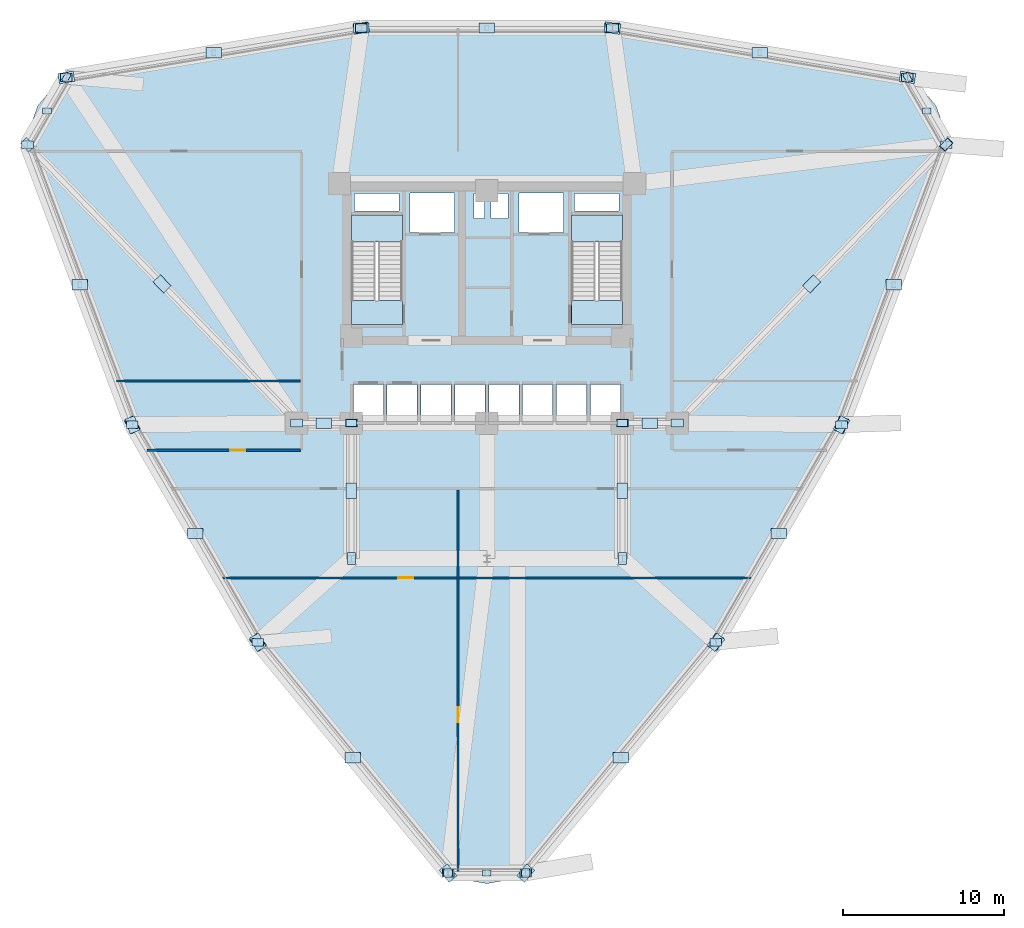
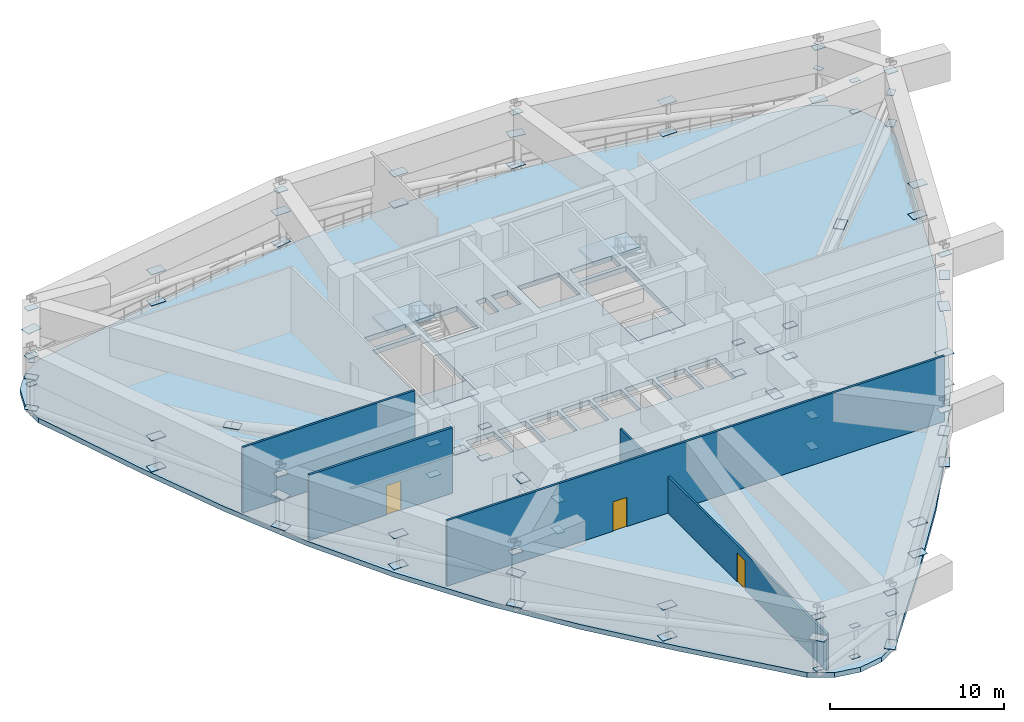
# One storey, part 7 of 12: 78 plates, 5 slabs, 4 walls, 3 doors, 3 openings, 2 elements without a shape of their own.
"""IFC4 building model written with IfcOpenShell, lengths in metres."""

from ifc_helpers import new_model, si_unit, derived_unit, direction, frame, frame_2d, origin, origin_2d, place, context, subcontext, project, spatial, polyline, rectangle, outline, extrude, source, transform, mapped, material, layer, layer_set, type_object, element, fill, aggregate, save


model = new_model("IFC4")

# Units and contexts
model_context = context("Model", 3, precision=1e-05, world=origin(), true_north=direction((0.0, 1.0)))
body_context = subcontext(model_context, "Body", "Model", "MODEL_VIEW")
ifc_project = project(units=[si_unit("LENGTHUNIT", "METRE"), si_unit("AREAUNIT", "SQUARE_METRE"), si_unit("VOLUMEUNIT", "CUBIC_METRE"), si_unit("PLANEANGLEUNIT", "RADIAN"), si_unit("MASSUNIT", "GRAM", prefix="KILO"), derived_unit("THERMALTRANSMITTANCEUNIT", [(si_unit("POWERUNIT", "WATT"), 1), (si_unit("LENGTHUNIT", "METRE"), -2), (si_unit("THERMODYNAMICTEMPERATUREUNIT", "KELVIN"), -1)])], contexts=[model_context])

# Site, building, storey
site_placement = place(None, origin())
site = spatial("IfcSite", under=ifc_project, at=site_placement, CompositionType="ELEMENT")
building_placement = place(site_placement, origin())
building = spatial("IfcBuilding", under=site, at=building_placement, Name="Korsvarv Bourse and Concert Hall", CompositionType="ELEMENT")
storey_placement = place(building_placement, frame((0.0, 0.0, 59.10009765625)))
storey = spatial("IfcBuildingStorey", under=building, at=storey_placement, Name="L14", CompositionType="ELEMENT", Elevation=59.10009765625)

# Slabs
ifc_material_1 = material(Name="Precast concrete C45/55", Category="concrete")
ifc_layer_1 = layer(ifc_material_1, 0.199951171875)
ifc_layer_set_1 = layer_set([ifc_layer_1], Name="Precast concrete C45/55")
slab_type_1 = type_object("IfcSlabType", Name="SLB-FLND-T", PredefinedType="LANDING", material=ifc_layer_set_1)
slab_1_placement = place(storey_placement, frame((0.0, 0.0, -0.2001953125)))
element("IfcSlab", 1, at=slab_1_placement, inside=storey, type_object=slab_type_1, Name="L14 Stair ST-T1 Floor Landing Slab", PredefinedType="LANDING", context=body_context, shape_type="SweptSolid", body=[
    extrude(outline(polyline([(30.760009765625, 38.5), (30.760009765625, 40.0), (27.60009765625, 40.0), (27.60009765625, 38.5), (30.760009765625, 38.5)])), origin(), (0.0, 0.0, 1.0), 0.2001953125),
])
slab_2_placement = place(storey_placement, frame((0.0, 0.0, -0.2001953125)))
element("IfcSlab", 2, at=slab_2_placement, inside=storey, type_object=slab_type_1, Name="L14 Stair ST-T2 Floor Landing Slab", PredefinedType="LANDING", context=body_context, shape_type="SweptSolid", body=[
    extrude(outline(polyline([(44.39990234375, 38.5), (44.39990234375, 40.0), (41.239990234375, 40.0), (41.239990234375, 38.5), (44.39990234375, 38.5)])), origin(), (0.0, 0.0, 1.0), 0.2001953125),
])
ifc_material_2 = material(Name="Concrete C55/67", Category="concrete")
ifc_layer_2 = layer(ifc_material_2, 0.340087890625)
ifc_layer_set_2 = layer_set([ifc_layer_2], Name="Concrete C55/67")
slab_type_2 = type_object("IfcSlabType", Name="SLB-REF", PredefinedType="FLOOR", material=ifc_layer_set_2)
slab_3_placement = place(storey_placement, frame((0.0, 0.0, -0.340087890625)))
element("IfcSlab", 3, at=slab_3_placement, inside=storey, type_object=slab_type_2, Name="L14 tower structural floor slab", PredefinedType="FLOOR", context=body_context, shape_type="SweptSolid", body=[
    extrude(outline(polyline([(63.784912109375, 47.35888671875), (61.7548828125, 41.6484375), (59.58837890625, 36.04248046875), (57.162841796875, 30.6064453125), (54.39501953125, 25.379638671875), (51.25244140625, 20.369140625), (47.757568359375, 15.550537109375), (43.985595703125, 10.871337890625), (40.05517578125, 6.258056640625), (40.05078125, 6.253173828125), (38.9326171875, 4.92041015625), (37.560546875, 4.128173828125), (36.0, 3.85302734375), (34.439453125, 4.128173828125), (33.0673828125, 4.92041015625), (31.94921875, 6.253173828125), (31.94482421875, 6.258056640625), (28.014404296875, 10.871337890625), (24.242431640625, 15.550537109375), (20.74755859375, 20.369140625), (17.60498046875, 25.379638671875), (14.837158203125, 30.6064453125), (12.41162109375, 36.04248046875), (10.2451171875, 41.6484375), (8.215087890625, 47.35888671875), (8.212890625, 47.365234375), (7.617919921875, 49.0), (7.617919921875, 50.58447265625), (8.159912109375, 52.073486328125), (9.178466796875, 53.287353515625), (10.550537109375, 54.07958984375), (12.263916015625, 54.381591796875), (12.270263671875, 54.3828125), (18.230712890625, 55.480224609375), (24.169189453125, 56.406982421875), (30.089599609375, 57.0244140625), (36.0, 57.24072265625), (41.910400390625, 57.0244140625), (47.830810546875, 56.406982421875), (53.769287109375, 55.480224609375), (59.729736328125, 54.3828125), (59.736083984375, 54.381591796875), (61.449462890625, 54.07958984375), (62.821533203125, 53.287353515625), (63.840087890625, 52.073486328125), (64.382080078125, 50.58447265625), (64.382080078125, 49.0), (63.787109375, 47.365234375), (63.784912109375, 47.35888671875)]), holes=[polyline([(30.760009765625, 38.5), (30.760009765625, 45.300048828125), (27.60009765625, 45.300048828125), (27.60009765625, 38.5), (30.760009765625, 38.5)]), polyline([(44.39990234375, 38.5), (44.39990234375, 45.300048828125), (41.239990234375, 45.300048828125), (41.239990234375, 38.5), (44.39990234375, 38.5)]), polyline([(31.239990234375, 44.219970703125), (34.0, 44.219970703125), (34.0, 46.679931640625), (31.239990234375, 46.679931640625), (31.239990234375, 44.219970703125)]), polyline([(38.0, 44.219970703125), (40.760009765625, 44.219970703125), (40.760009765625, 46.679931640625), (38.0, 46.679931640625), (38.0, 44.219970703125)]), polyline([(27.719970703125, 32.52001953125), (29.580078125, 32.52001953125), (29.580078125, 34.780029296875), (27.719970703125, 34.780029296875), (27.719970703125, 32.52001953125)]), polyline([(29.820068359375, 32.52001953125), (31.679931640625, 32.52001953125), (31.679931640625, 34.780029296875), (29.820068359375, 34.780029296875), (29.820068359375, 32.52001953125)]), polyline([(31.919921875, 32.52001953125), (33.780029296875, 32.52001953125), (33.780029296875, 34.780029296875), (31.919921875, 34.780029296875), (31.919921875, 32.52001953125)]), polyline([(34.02001953125, 32.52001953125), (35.8798828125, 32.52001953125), (35.8798828125, 34.780029296875), (34.02001953125, 34.780029296875), (34.02001953125, 32.52001953125)]), polyline([(36.1201171875, 32.52001953125), (37.97998046875, 32.52001953125), (37.97998046875, 34.780029296875), (36.1201171875, 34.780029296875), (36.1201171875, 32.52001953125)]), polyline([(38.219970703125, 32.52001953125), (40.080078125, 32.52001953125), (40.080078125, 34.780029296875), (38.219970703125, 34.780029296875), (38.219970703125, 32.52001953125)]), polyline([(40.320068359375, 32.52001953125), (42.179931640625, 32.52001953125), (42.179931640625, 34.780029296875), (40.320068359375, 34.780029296875), (40.320068359375, 32.52001953125)]), polyline([(42.419921875, 32.52001953125), (44.280029296875, 32.52001953125), (44.280029296875, 34.780029296875), (42.419921875, 34.780029296875), (42.419921875, 32.52001953125)]), polyline([(27.800048828125, 45.56005859375), (30.56005859375, 45.56005859375), (30.56005859375, 46.6201171875), (27.800048828125, 46.6201171875), (27.800048828125, 45.56005859375)]), polyline([(41.43994140625, 45.56005859375), (44.199951171875, 45.56005859375), (44.199951171875, 46.6201171875), (41.43994140625, 46.6201171875), (41.43994140625, 45.56005859375)]), polyline([(35.199951171875, 45.080078125), (35.840087890625, 45.080078125), (35.840087890625, 46.6201171875), (35.199951171875, 46.6201171875), (35.199951171875, 45.080078125)]), polyline([(36.239990234375, 45.080078125), (37.320068359375, 45.080078125), (37.320068359375, 46.6201171875), (36.239990234375, 46.6201171875), (36.239990234375, 45.080078125)])]), origin(), (0.0, 0.0, 1.0), 0.340087890625),
])

# Stair, slab
stair_type = type_object("IfcStairType", Name="STR-TYPE-02", PredefinedType="HALF_TURN_STAIR", material=ifc_material_1)
stair_1_placement = place(storey_placement, origin())
stair_1 = element("IfcStair", 4, at=stair_1_placement, inside=storey, type_object=stair_type, Name="L14 Tower West Exit Stair ST-T1", PredefinedType="HALF_TURN_STAIR")
ifc_layer_3 = layer(ifc_material_1, 0.199951171875)
ifc_layer_set_3 = layer_set([ifc_layer_3], Name="Precast concrete C45/55")
slab_type_3 = type_object("IfcSlabType", Name="SLB-ST-LND", PredefinedType="LANDING", material=ifc_layer_set_3)
slab_4_placement = place(storey_placement, frame((0.0, 0.0, 2.199951171875)))
slab_4 = element("IfcSlab", 5, at=slab_4_placement, type_object=slab_type_3, Name="ST-T1 landing 1", PredefinedType="LANDING", context=body_context, shape_type="SweptSolid", body=[
    extrude(outline(polyline([(30.760009765625, 43.639892578125), (30.760009765625, 45.300048828125), (27.60009765625, 45.300048828125), (27.60009765625, 43.639892578125), (30.760009765625, 43.639892578125)])), origin(), (0.0, 0.0, 1.0), 0.199951171875),
])
aggregate(stair_1, [slab_4])

stair_2_placement = place(storey_placement, origin())
stair_2 = element("IfcStair", 6, at=stair_2_placement, inside=storey, type_object=stair_type, Name="L14 Tower East Exit Stair ST-T2", PredefinedType="HALF_TURN_STAIR")
slab_5_placement = place(storey_placement, frame((0.0, 0.0, 2.199951171875)))
slab_5 = element("IfcSlab", 7, at=slab_5_placement, type_object=slab_type_3, Name="ST-T2 landing 1", PredefinedType="LANDING", context=body_context, shape_type="SweptSolid", body=[
    extrude(outline(polyline([(44.39990234375, 43.639892578125), (44.39990234375, 45.300048828125), (41.239990234375, 45.300048828125), (41.239990234375, 43.639892578125), (44.39990234375, 43.639892578125)])), origin(), (0.0, 0.0, 1.0), 0.199951171875),
])
aggregate(stair_2, [slab_5])

# Plates
ifc_material_3 = material(Name="Steel S460", Category="steel")
ifc_layer_4 = layer(ifc_material_3, 0.033935546875)
ifc_layer_set_4 = layer_set([ifc_layer_4], Name="Steel S460")
plate_type_1 = type_object("IfcPlateType", Name="PLT-KN5", PredefinedType="SHEET", material=ifc_layer_set_4)
shared_shape_1 = source(origin(), body_context, "Body", "SweptSolid", [
    extrude(rectangle(XDim=0.719970703125, YDim=0.47998046875, at=origin_2d()), origin(), (0.0, 0.0, 1.0), 0.033935546875),
])
for number, where, z_axis, x_axis, name in (
    (8, (64.474609375, 49.662353515625, 4.0029296875), (0.0, 0.0, 1.0), (1.0, 0.0, 0.0), "L14 Block-Shift Transfer Splice Plate KN5-1"),
    (9, (62.069091796875, 53.82861328125, 4.0029296875), (0.0, 0.0, 1.0), (1.0, 0.0, 0.0), "L14 Block-Shift Transfer Splice Plate KN5-2"),
    (10, (43.78466796875, 56.889404296875, 4.0029296875), (0.0, 0.0, 1.0), (1.0, 0.0, 0.0), "L14 Block-Shift Transfer Splice Plate KN5-3"),
    (11, (28.21533203125, 56.889404296875, 4.0029296875), (0.0, 0.0, 1.0), (1.0, 0.0, 0.0), "L14 Block-Shift Transfer Splice Plate KN5-4"),
    (12, (9.930908203125, 53.82861328125, 4.0029296875), (0.0, 0.0, 1.0), (1.0, 0.0, 0.0), "L14 Block-Shift Transfer Splice Plate KN5-5"),
    (13, (7.525390625, 49.662353515625, 4.0029296875), (0.0, 0.0, 1.0), (1.0, 0.0, 0.0), "L14 Block-Shift Transfer Splice Plate KN5-6"),
    (14, (14.016845703125, 32.297119140625, 4.0029296875), (0.0, 0.0, 1.0), (1.0, 0.0, 0.0), "L14 Block-Shift Transfer Splice Plate KN5-7"),
    (15, (21.801513671875, 18.8134765625, 4.0029296875), (0.0, 0.0, 1.0), (1.0, 0.0, 0.0), "L14 Block-Shift Transfer Splice Plate KN5-8"),
    (16, (38.4052734375, 4.509033203125, 4.0029296875), (0.0, 0.0, 1.0), (1.0, 0.0, 0.0), "L14 Block-Shift Transfer Splice Plate KN5-10"),
    (17, (33.5947265625, 4.509033203125, 4.0029296875), (0.0, 0.0, 1.0), (1.0, 0.0, 0.0), "L14 Block-Shift Transfer Splice Plate KN5-9"),
    (18, (50.198486328125, 18.8134765625, 4.0029296875), (0.0, 0.0, 1.0), (1.0, 0.0, 0.0), "L14 Block-Shift Transfer Splice Plate KN5-11"),
    (19, (57.983154296875, 32.297119140625, 4.0029296875), (0.0, 0.0, 1.0), (1.0, 0.0, 0.0), "L14 Block-Shift Transfer Splice Plate KN5-12"),
):
    element("IfcPlate", number, at=place(storey_placement, frame(where, z_axis=z_axis, x_axis=x_axis)), inside=storey, type_object=plate_type_1, Name=name, PredefinedType="SHEET", context=body_context, shape_type="MappedRepresentation", body=[
        mapped(shared_shape_1, transform((0.0, 0.0, 0.0), scale=1.0)),
    ])
ifc_layer_5 = layer(ifc_material_3, 0.034912109375)
ifc_layer_set_5 = layer_set([ifc_layer_5], Name="Steel S460")
plate_type_2 = type_object("IfcPlateType", Name="PLT-KN1", PredefinedType="SHEET", material=ifc_layer_set_5)
shared_shape_2 = source(origin(), body_context, "Body", "SweptSolid", [
    extrude(rectangle(XDim=0.75, YDim=0.5, at=origin_2d()), origin(), (0.0, 0.0, 1.0), 0.034912109375),
])
for number, where, z_axis, x_axis, name in (
    (20, (27.60009765625, 32.39990234375, 0.33251953125), (0.0, 0.0, 1.0), (1.0, 0.0, 0.0), "L14 node cap plate KN1"),
    (21, (24.199951171875, 32.39990234375, 0.33251953125), (0.0, 0.0, 1.0), (1.0, 0.0, 0.0), "L14 node cap plate KN1"),
    (22, (24.199951171875, 32.39990234375, 2.50244140625), (0.0, 0.0, 1.0), (1.0, 0.0, 0.0), "L14 node cap plate KN1"),
    (23, (7.525390625, 49.662353515625, 0.33251953125), (0.0, 0.0, 1.0), (-0.694783908358, 0.719218548626, 0.0), "L14 node cap plate KN1"),
    (24, (7.525390625, 49.662353515625, 2.50244140625), (0.0, 0.0, 1.0), (-0.694783908358, 0.719218548626, 0.0), "L14 node cap plate KN1"),
    (25, (44.39990234375, 32.39990234375, 0.33251953125), (0.0, 0.0, 1.0), (1.0, 0.0, 0.0), "L14 node cap plate KN1"),
    (26, (47.800048828125, 32.39990234375, 0.33251953125), (0.0, 0.0, 1.0), (1.0, 0.0, 0.0), "L14 node cap plate KN1"),
    (27, (47.800048828125, 32.39990234375, 2.50244140625), (0.0, 0.0, 1.0), (1.0, 0.0, 0.0), "L14 node cap plate KN1"),
    (28, (64.474609375, 49.662353515625, 0.33251953125), (0.0, 0.0, 1.0), (0.694783908358, 0.719218548626, 0.0), "L14 node cap plate KN1"),
    (29, (27.60009765625, 24.0, 0.33251953125), (0.0, 0.0, 1.0), (0.0, 1.0, 0.0), "L14 node cap plate KN1"),
    (30, (27.60009765625, 24.0, 2.50244140625), (0.0, 0.0, 1.0), (0.0, 1.0, 0.0), "L14 node cap plate KN1"),
    (31, (44.39990234375, 24.0, 0.33251953125), (0.0, 0.0, 1.0), (0.0, 1.0, 0.0), "L14 node cap plate KN1"),
    (32, (44.39990234375, 24.0, 2.50244140625), (0.0, 0.0, 1.0), (0.0, 1.0, 0.0), "L14 node cap plate KN1"),
):
    element("IfcPlate", number, at=place(storey_placement, frame(where, z_axis=z_axis, x_axis=x_axis)), inside=storey, type_object=plate_type_2, Name=name, PredefinedType="SHEET", context=body_context, shape_type="MappedRepresentation", body=[
        mapped(shared_shape_2, transform((0.0, 0.0, 0.0), scale=1.0)),
    ])
ifc_layer_6 = layer(ifc_material_3, 0.028076171875)
ifc_layer_set_6 = layer_set([ifc_layer_6], Name="Steel S460")
plate_type_3 = type_object("IfcPlateType", Name="PLT-KN3", PredefinedType="SHEET", material=ifc_layer_set_6)
shared_shape_3 = source(origin(), body_context, "Body", "SweptSolid", [
    extrude(rectangle(XDim=0.9599609375, YDim=0.639892578125, at=origin_2d()), origin(), (0.0, 0.0, 1.0), 0.028076171875),
])
for number, where, z_axis, x_axis, name in (
    (33, (25.89990234375, 32.39990234375, 1.4208984375), (0.0, 0.0, 1.0), (1.0, 0.0, 0.0), "L14 node cap plate KN3"),
    (34, (15.86279296875, 41.03125, 1.4208984375), (0.0, 0.0, 1.0), (-0.694783908358, 0.719218548626, 0.0), "L14 node cap plate KN3"),
    (35, (46.10009765625, 32.39990234375, 1.4208984375), (0.0, 0.0, 1.0), (1.0, 0.0, 0.0), "L14 node cap plate KN3"),
    (36, (56.13720703125, 41.03125, 1.4208984375), (0.0, 0.0, 1.0), (0.694783908358, 0.719218548626, 0.0), "L14 node cap plate KN3"),
    (37, (27.60009765625, 28.199951171875, 1.4208984375), (0.0, 0.0, 1.0), (0.0, 1.0, 0.0), "L14 node cap plate KN3"),
    (38, (44.39990234375, 28.199951171875, 1.4208984375), (0.0, 0.0, 1.0), (0.0, 1.0, 0.0), "L14 node cap plate KN3"),
    (39, (62.069091796875, 53.82861328125, 0.3359375), (0.0, 0.0, 1.0), (-0.986285601537, 0.165047605861, 0.0), "L14 node cap plate KN3"),
    (40, (43.78466796875, 56.889404296875, 2.505859375), (0.0, 0.0, 1.0), (-0.986285601537, 0.165047605861, 0.0), "L14 node cap plate KN3"),
    (41, (52.927001953125, 55.35888671875, 0.3359375), (0.0, 0.0, 1.0), (1.0, 0.0, 0.0), "L14 node cap plate KN3"),
    (42, (52.927001953125, 55.35888671875, 2.505859375), (0.0, 0.0, 1.0), (1.0, 0.0, 0.0), "L14 node cap plate KN3"),
    (43, (43.78466796875, 56.889404296875, 0.3359375), (0.0, 0.0, 1.0), (1.0, 0.0, 0.0), "L14 node cap plate KN3"),
    (44, (28.21533203125, 56.889404296875, 2.505859375), (0.0, 0.0, 1.0), (1.0, 0.0, 0.0), "L14 node cap plate KN3"),
    (45, (36.0, 56.889404296875, 0.3359375), (0.0, 0.0, 1.0), (1.0, 0.0, 0.0), "L14 node cap plate KN3"),
    (46, (36.0, 56.889404296875, 2.505859375), (0.0, 0.0, 1.0), (1.0, 0.0, 0.0), "L14 node cap plate KN3"),
    (47, (28.21533203125, 56.889404296875, 0.3359375), (0.0, 0.0, 1.0), (0.986285601537, 0.165047605861, 0.0), "L14 node cap plate KN3"),
    (48, (9.930908203125, 53.82861328125, 2.505859375), (0.0, 0.0, 1.0), (0.986285601537, 0.165047605861, 0.0), "L14 node cap plate KN3"),
    (49, (19.072998046875, 55.35888671875, 0.3359375), (0.0, 0.0, 1.0), (1.0, 0.0, 0.0), "L14 node cap plate KN3"),
    (50, (19.072998046875, 55.35888671875, 2.505859375), (0.0, 0.0, 1.0), (1.0, 0.0, 0.0), "L14 node cap plate KN3"),
    (51, (14.016845703125, 32.297119140625, 2.505859375), (0.0, 0.0, 1.0), (-0.350207381259, 0.936672189248, 0.0), "L14 node cap plate KN3"),
    (52, (10.77099609375, 40.979736328125, 0.3359375), (0.0, 0.0, 1.0), (1.0, 0.0, 0.0), "L14 node cap plate KN3"),
    (53, (10.77099609375, 40.979736328125, 2.505859375), (0.0, 0.0, 1.0), (1.0, 0.0, 0.0), "L14 node cap plate KN3"),
    (54, (14.016845703125, 32.297119140625, 0.3359375), (0.0, 0.0, 1.0), (-0.5, 0.866025403784, 0.0), "L14 node cap plate KN3"),
    (55, (21.801513671875, 18.8134765625, 2.505859375), (0.0, 0.0, 1.0), (-0.5, 0.866025403784, 0.0), "L14 node cap plate KN3"),
    (56, (17.9091796875, 25.555419921875, 0.3359375), (0.0, 0.0, 1.0), (1.0, 0.0, 0.0), "L14 node cap plate KN3"),
    (57, (17.9091796875, 25.555419921875, 2.505859375), (0.0, 0.0, 1.0), (1.0, 0.0, 0.0), "L14 node cap plate KN3"),
    (58, (21.801513671875, 18.8134765625, 0.3359375), (0.0, 0.0, 1.0), (-0.636078220278, 0.771624583388, 0.0), "L14 node cap plate KN3"),
    (59, (33.5947265625, 4.509033203125, 2.505859375), (0.0, 0.0, 1.0), (-0.636078220278, 0.771624583388, 0.0), "L14 node cap plate KN3"),
    (60, (27.697998046875, 11.661376953125, 0.3359375), (0.0, 0.0, 1.0), (1.0, 0.0, 0.0), "L14 node cap plate KN3"),
    (61, (27.697998046875, 11.661376953125, 2.505859375), (0.0, 0.0, 1.0), (1.0, 0.0, 0.0), "L14 node cap plate KN3"),
    (62, (38.4052734375, 4.509033203125, 0.3359375), (0.0, 0.0, 1.0), (0.636078220278, 0.771624583388, 0.0), "L14 node cap plate KN3"),
    (63, (50.198486328125, 18.8134765625, 2.505859375), (0.0, 0.0, 1.0), (0.636078220278, 0.771624583388, 0.0), "L14 node cap plate KN3"),
    (64, (44.302001953125, 11.661376953125, 0.3359375), (0.0, 0.0, 1.0), (1.0, 0.0, 0.0), "L14 node cap plate KN3"),
    (65, (44.302001953125, 11.661376953125, 2.505859375), (0.0, 0.0, 1.0), (1.0, 0.0, 0.0), "L14 node cap plate KN3"),
    (66, (50.198486328125, 18.8134765625, 0.3359375), (0.0, 0.0, 1.0), (0.5, 0.866025403784, 0.0), "L14 node cap plate KN3"),
    (67, (57.983154296875, 32.297119140625, 2.505859375), (0.0, 0.0, 1.0), (0.5, 0.866025403784, 0.0), "L14 node cap plate KN3"),
    (68, (54.0908203125, 25.555419921875, 0.3359375), (0.0, 0.0, 1.0), (1.0, 0.0, 0.0), "L14 node cap plate KN3"),
    (69, (54.0908203125, 25.555419921875, 2.505859375), (0.0, 0.0, 1.0), (1.0, 0.0, 0.0), "L14 node cap plate KN3"),
    (70, (57.983154296875, 32.297119140625, 0.3359375), (0.0, 0.0, 1.0), (0.350207381259, 0.936672189248, 0.0), "L14 node cap plate KN3"),
    (71, (61.22900390625, 40.979736328125, 0.3359375), (0.0, 0.0, 1.0), (1.0, 0.0, 0.0), "L14 node cap plate KN3"),
    (72, (61.22900390625, 40.979736328125, 2.505859375), (0.0, 0.0, 1.0), (1.0, 0.0, 0.0), "L14 node cap plate KN3"),
):
    element("IfcPlate", number, at=place(storey_placement, frame(where, z_axis=z_axis, x_axis=x_axis)), inside=storey, type_object=plate_type_3, Name=name, PredefinedType="SHEET", context=body_context, shape_type="MappedRepresentation", body=[
        mapped(shared_shape_3, transform((0.0, 0.0, 0.0), scale=1.0)),
    ])
ifc_layer_7 = layer(ifc_material_3, 0.031982421875)
ifc_layer_set_7 = layer_set([ifc_layer_7], Name="Steel S460")
plate_type_4 = type_object("IfcPlateType", Name="PLT-KN2", PredefinedType="SHEET", material=ifc_layer_set_7)
shared_shape_4 = source(origin(), body_context, "Body", "SweptSolid", [
    extrude(rectangle(XDim=0.659912109375, YDim=0.43994140625, at=origin_2d()), origin(), (0.0, 0.0, 1.0), 0.031982421875),
])
for number, where, z_axis, x_axis, name in (
    (73, (27.60009765625, 32.39990234375, 2.50390625), (0.0, 0.0, 1.0), (1.0, 0.0, 0.0), "L14 node cap plate KN2"),
    (74, (44.39990234375, 32.39990234375, 2.50390625), (0.0, 0.0, 1.0), (1.0, 0.0, 0.0), "L14 node cap plate KN2"),
    (75, (64.474609375, 49.662353515625, 2.50390625), (0.0, 0.0, 1.0), (0.694783908358, 0.719218548626, 0.0), "L14 node cap plate KN2"),
):
    element("IfcPlate", number, at=place(storey_placement, frame(where, z_axis=z_axis, x_axis=x_axis)), inside=storey, type_object=plate_type_4, Name=name, PredefinedType="SHEET", context=body_context, shape_type="MappedRepresentation", body=[
        mapped(shared_shape_4, transform((0.0, 0.0, 0.0), scale=1.0)),
    ])
ifc_layer_8 = layer(ifc_material_3, 0.02587890625)
ifc_layer_set_8 = layer_set([ifc_layer_8], Name="Steel S460")
plate_type_5 = type_object("IfcPlateType", Name="PLT-KN4", PredefinedType="SHEET", material=ifc_layer_set_8)
shared_shape_5 = source(origin(), body_context, "Body", "SweptSolid", [
    extrude(rectangle(XDim=0.5400390625, YDim=0.360107421875, at=origin_2d()), origin(), (0.0, 0.0, 1.0), 0.02587890625),
])
for number, where, z_axis, x_axis, name in (
    (76, (62.069091796875, 53.82861328125, 2.507080078125), (0.0, 0.0, 1.0), (-0.5, 0.866025403784, 0.0), "L14 node cap plate KN4"),
    (77, (63.27197265625, 51.745361328125, 0.3369140625), (0.0, 0.0, 1.0), (1.0, 0.0, 0.0), "L14 node cap plate KN4"),
    (78, (63.27197265625, 51.745361328125, 2.507080078125), (0.0, 0.0, 1.0), (1.0, 0.0, 0.0), "L14 node cap plate KN4"),
    (79, (9.930908203125, 53.82861328125, 0.3369140625), (0.0, 0.0, 1.0), (0.5, 0.866025403784, 0.0), "L14 node cap plate KN4"),
    (80, (8.72802734375, 51.745361328125, 0.3369140625), (0.0, 0.0, 1.0), (1.0, 0.0, 0.0), "L14 node cap plate KN4"),
    (81, (8.72802734375, 51.745361328125, 2.507080078125), (0.0, 0.0, 1.0), (1.0, 0.0, 0.0), "L14 node cap plate KN4"),
    (82, (33.5947265625, 4.509033203125, 0.3369140625), (0.0, 0.0, 1.0), (1.0, 0.0, 0.0), "L14 node cap plate KN4"),
    (83, (38.4052734375, 4.509033203125, 2.507080078125), (0.0, 0.0, 1.0), (1.0, 0.0, 0.0), "L14 node cap plate KN4"),
    (84, (36.0, 4.509033203125, 0.3369140625), (0.0, 0.0, 1.0), (1.0, 0.0, 0.0), "L14 node cap plate KN4"),
    (85, (36.0, 4.509033203125, 2.507080078125), (0.0, 0.0, 1.0), (1.0, 0.0, 0.0), "L14 node cap plate KN4"),
):
    element("IfcPlate", number, at=place(storey_placement, frame(where, z_axis=z_axis, x_axis=x_axis)), inside=storey, type_object=plate_type_5, Name=name, PredefinedType="SHEET", context=body_context, shape_type="MappedRepresentation", body=[
        mapped(shared_shape_5, transform((0.0, 0.0, 0.0), scale=1.0)),
    ])

# Wall, opening, door
ifc_material_4 = material(Name="Double-stud fire-rated acoustic partition", Category="gypsum")
ifc_layer_9 = layer(ifc_material_4, 0.159912109375)
ifc_layer_set_9 = layer_set([ifc_layer_9], Name="Double-stud fire-rated acoustic partition")
wall_type_1 = type_object("IfcWallType", Name="WL-INT-EI60", PredefinedType="PARTITIONING", material=ifc_layer_set_9)
wall_1_placement = place(storey_placement, frame((14.9443359375, 30.72509765625, 0.0), z_axis=(0.0, 0.0, 1.0), x_axis=(1.0, 0.0, 0.0)))
wall_1 = element("IfcWall", 86, at=wall_1_placement, inside=storey, type_object=wall_type_1, Name="L14 interior partition wall W-L14-RCOR-04", PredefinedType="PARTITIONING", context=body_context, shape_type="SweptSolid", body=[
    extrude(rectangle(XDim=9.498779296875, YDim=0.159912109375, at=frame_2d((4.74951171875, 0.0))), origin(), (0.0, 0.0, 1.0), 4.579833984375),
])
opening_1_placement = place(wall_1_placement, frame((5.13623046875, 0.0, 0.0)))
opening_1 = element("IfcOpeningElement", 87, at=opening_1_placement, cuts=wall_1, Name="Opening D-02", PredefinedType="OPENING", context=body_context, shape_type="SweptSolid", body=[
    extrude(rectangle(XDim=0.949951171875, YDim=2.050048828125, at=frame_2d((0.47509765625, 1.02490234375))), frame((0.0, 0.08984375, 0.0), z_axis=(0.0, -1.0, 0.0), x_axis=(1.0, 0.0, 0.0)), (0.0, 0.0, 1.0), 0.179931640625),
])
ifc_material_5 = material(Name="Timber and steel acoustic fire door", Category="wood")
door_type_1 = type_object("IfcDoorType", Name="DR-FD30", OperationType="NOTDEFINED", PredefinedType="DOOR", material=ifc_material_5)
door_1_placement = place(opening_1_placement, origin())
door_1 = element("IfcDoor", 88, at=door_1_placement, inside=storey, type_object=door_type_1, Name="L14 interior door DR-L14-RCOR-PL12", OperationType="SINGLE_SWING_LEFT", OverallHeight=2.050048828125, OverallWidth=0.949951171875, PredefinedType="DOOR", context=body_context, shape_type="SweptSolid", body=[
    extrude(rectangle(XDim=0.949951171875, YDim=2.050048828125, at=frame_2d((0.47509765625, 1.02490234375))), frame((0.0, 0.02490234375, 0.0), z_axis=(0.0, -1.0, 0.0), x_axis=(1.0, 0.0, 0.0)), (0.0, 0.0, 1.0), 0.050048828125),
])
fill(opening_1, door_1)

ifc_material_6 = material(Name="Insulated steel-stud office acoustic partition", Category="gypsum")
ifc_layer_10 = layer(ifc_material_6, 0.139892578125)
ifc_layer_set_10 = layer_set([ifc_layer_10], Name="Insulated steel-stud office acoustic partition")
wall_type_2 = type_object("IfcWallType", Name="WL-INT-P1", PredefinedType="PARTITIONING", material=ifc_layer_set_10)
wall_2_placement = place(storey_placement, frame((19.51708984375, 22.804931640625, 0.0), z_axis=(0.0, 0.0, 1.0), x_axis=(1.0, 0.0, 0.0)))
wall_2 = element("IfcWall", 89, at=wall_2_placement, inside=storey, type_object=wall_type_2, Name="L14 interior partition wall W-L14-RCOR-06", PredefinedType="PARTITIONING", context=body_context, shape_type="SweptSolid", body=[
    extrude(rectangle(XDim=32.9658203125, YDim=0.139892578125, at=frame_2d((16.48291015625, 0.0))), origin(), (0.0, 0.0, 1.0), 4.579833984375),
])
opening_2_placement = place(wall_2_placement, frame((10.973388671875, 0.0, 0.0)))
opening_2 = element("IfcOpeningElement", 90, at=opening_2_placement, cuts=wall_2, Name="Opening D-03", PredefinedType="OPENING", context=body_context, shape_type="SweptSolid", body=[
    extrude(rectangle(XDim=0.949951171875, YDim=2.050048828125, at=frame_2d((0.47509765625, 1.02490234375))), frame((0.0, 0.080078125, 0.0), z_axis=(0.0, -1.0, 0.0), x_axis=(1.0, 0.0, 0.0)), (0.0, 0.0, 1.0), 0.159912109375),
])
ifc_material_7 = material(Name="Nordic oak acoustic office door", Category="wood")
door_type_2 = type_object("IfcDoorType", Name="DR-INT-1", OperationType="NOTDEFINED", PredefinedType="DOOR", material=ifc_material_7)
door_2_placement = place(opening_2_placement, origin())
door_2 = element("IfcDoor", 91, at=door_2_placement, inside=storey, type_object=door_type_2, Name="L14 interior door DR-L14-RCOR-PL37", OperationType="SINGLE_SWING_LEFT", OverallHeight=2.050048828125, OverallWidth=0.949951171875, PredefinedType="DOOR", context=body_context, shape_type="SweptSolid", body=[
    extrude(rectangle(XDim=0.949951171875, YDim=2.050048828125, at=frame_2d((0.47509765625, 1.02490234375))), frame((0.0, 0.02490234375, 0.0), z_axis=(0.0, -1.0, 0.0), x_axis=(1.0, 0.0, 0.0)), (0.0, 0.0, 1.0), 0.050048828125),
])
fill(opening_2, door_2)

wall_3_placement = place(storey_placement, frame((34.205078125, 4.529052734375, 0.0), z_axis=(0.0, 0.0, 1.0), x_axis=(0.0, 1.0, 0.0)))
wall_3 = element("IfcWall", 92, at=wall_3_placement, inside=storey, type_object=wall_type_2, Name="L14 interior partition wall W-L14-RCOR-07", PredefinedType="PARTITIONING", context=body_context, shape_type="SweptSolid", body=[
    extrude(rectangle(XDim=23.7138671875, YDim=0.139892578125, at=frame_2d((11.85693359375, 0.0))), origin(), (0.0, 0.0, 1.0), 2.56982421875),
])
opening_3_placement = place(wall_3_placement, frame((9.322265625, 0.0, 0.0)))
opening_3 = element("IfcOpeningElement", 93, at=opening_3_placement, cuts=wall_3, Name="Opening D-03", PredefinedType="OPENING", context=body_context, shape_type="SweptSolid", body=[
    extrude(rectangle(XDim=0.949951171875, YDim=2.050048828125, at=frame_2d((0.47509765625, 1.02490234375))), frame((0.0, 0.080078125, 0.0), z_axis=(0.0, -1.0, 0.0), x_axis=(1.0, 0.0, 0.0)), (0.0, 0.0, 1.0), 0.159912109375),
])
door_3_placement = place(opening_3_placement, origin())
door_3 = element("IfcDoor", 94, at=door_3_placement, inside=storey, type_object=door_type_2, Name="L14 interior door DR-L14-RCOR-PL48", OperationType="SINGLE_SWING_RIGHT", OverallHeight=2.050048828125, OverallWidth=0.949951171875, PredefinedType="DOOR", context=body_context, shape_type="SweptSolid", body=[
    extrude(rectangle(XDim=0.949951171875, YDim=2.050048828125, at=frame_2d((0.47509765625, 1.02490234375))), frame((0.0, 0.02490234375, 0.0), z_axis=(0.0, -1.0, 0.0), x_axis=(1.0, 0.0, 0.0)), (0.0, 0.0, 1.0), 0.050048828125),
])
fill(opening_3, door_3)

# Wall
wall_4_placement = place(storey_placement, frame((13.0244140625, 35.0048828125, 0.0), z_axis=(0.0, 0.0, 1.0), x_axis=(1.0, 0.0, 0.0)))
element("IfcWall", 95, at=wall_4_placement, inside=storey, type_object=wall_type_2, Name="L14 interior partition wall W-L14-RCOR-10", PredefinedType="PARTITIONING", context=body_context, shape_type="SweptSolid", body=[
    extrude(rectangle(XDim=11.418701171875, YDim=0.139892578125, at=frame_2d((5.70947265625, 0.0))), origin(), (0.0, 0.0, 1.0), 4.579833984375),
])

save(model, "model.ifc")
